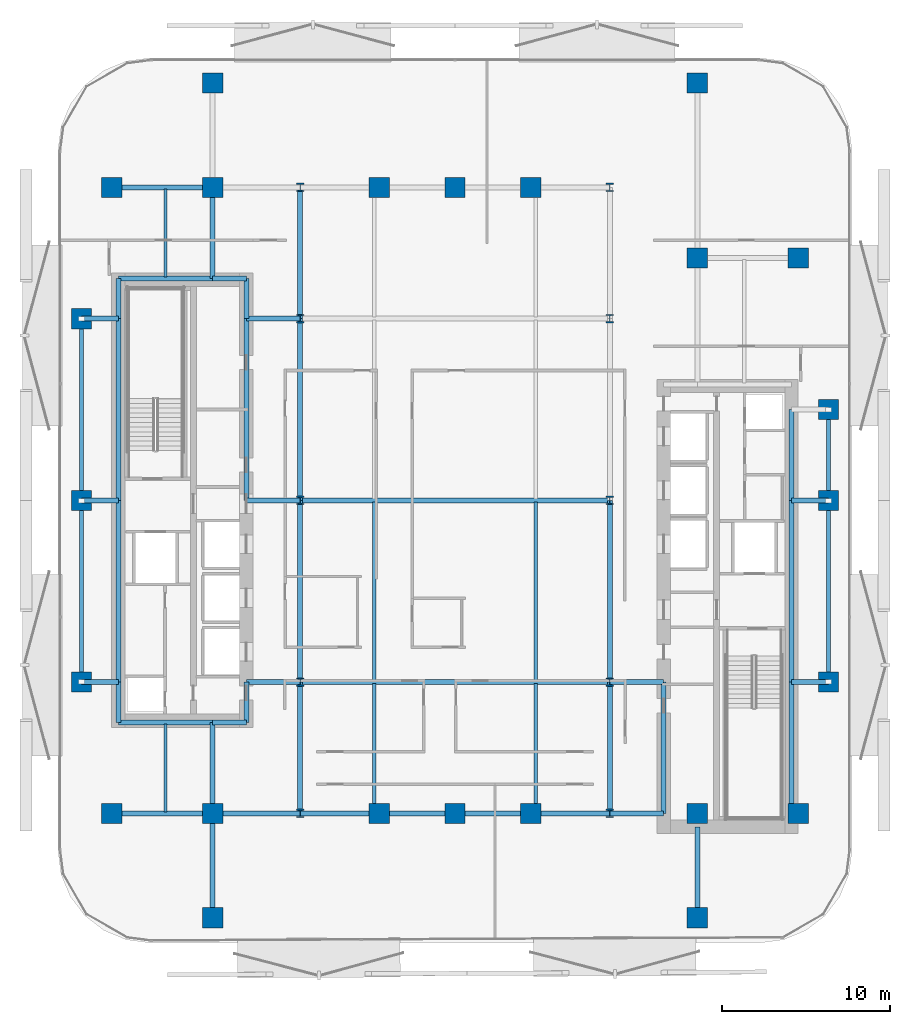
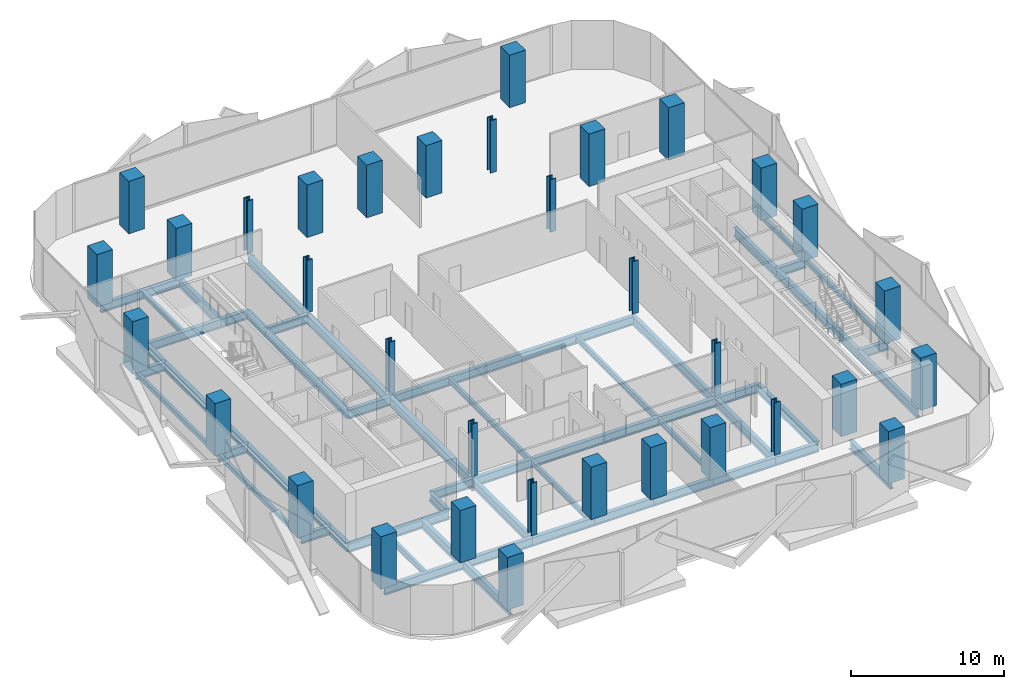
# One storey, part 1 of 15: 54 beams, 34 columns.
"""IFC4 building model written with IfcOpenShell, lengths in metres."""

from ifc_helpers import new_model, si_unit, direction, frame, origin, origin_2d, place, context, subcontext, project, spatial, rectangle, hollow_rectangle, i_section, extrude, material, material_profile, profile_set, type_object, element, save


model = new_model("IFC4")

# Units and contexts
model_context = context("Model", 3, precision=1e-05, world=origin(), true_north=direction((0.0, 1.0)))
body_context = subcontext(model_context, "Body", "Model", "MODEL_VIEW")
ifc_project = project(units=[si_unit("LENGTHUNIT", "METRE"), si_unit("AREAUNIT", "SQUARE_METRE"), si_unit("VOLUMEUNIT", "CUBIC_METRE"), si_unit("PLANEANGLEUNIT", "RADIAN"), si_unit("MASSUNIT", "GRAM", prefix="KILO")], contexts=[model_context])

# Site, building, storey
site_placement = place(None, origin())
site = spatial("IfcSite", under=ifc_project, at=site_placement, CompositionType="ELEMENT")
building_placement = place(site_placement, origin())
building = spatial("IfcBuilding", under=site, at=building_placement, Name="Khairoan Windgate Tower", CompositionType="ELEMENT")
storey_placement = place(building_placement, frame((0.0, 0.0, 105.800048828125)))
storey = spatial("IfcBuildingStorey", under=building, at=storey_placement, Name="L24", CompositionType="ELEMENT", Elevation=105.800048828125)

# Columns
ifc_material_1 = material(Name="Concrete C60/75", Category="concrete")
ifc_material_profile_1 = material_profile(ifc_material_1, rectangle(XDim=1.199951171875, YDim=1.199951171875, at=origin_2d()))
ifc_profile_set_1 = profile_set([ifc_material_profile_1], Name="Concrete C60/75")
column_type_1 = type_object("IfcColumnType", Name="Column C-T3 RC1200x1200", PredefinedType="COLUMN", material=ifc_profile_set_1)
for number, where, z_axis, x_axis, name in (
    (1, (-20.39990234375, -18.60009765625, 0.0), (0.0, 0.0, 1.0), (1.0, 0.0, 0.0), "Column L24-11"),
    (2, (-20.39990234375, 18.60009765625, 0.0), (0.0, 0.0, 1.0), (1.0, 0.0, 0.0), "Column L24-12"),
    (3, (20.39990234375, -18.60009765625, 0.0), (0.0, 0.0, 1.0), (1.0, 0.0, 0.0), "Column L24-13"),
    (4, (20.39990234375, 14.39990234375, 0.0), (0.0, 0.0, 1.0), (1.0, 0.0, 0.0), "Column L24-14"),
    (5, (-14.39990234375, -18.60009765625, 0.0), (0.0, 0.0, 1.0), (1.0, 0.0, 0.0), "Column L24-15"),
    (6, (-14.39990234375, 18.60009765625, 0.0), (0.0, 0.0, 1.0), (1.0, 0.0, 0.0), "Column L24-16"),
    (7, (14.39990234375, -18.60009765625, 0.0), (0.0, 0.0, 1.0), (1.0, 0.0, 0.0), "Column L24-17"),
    (8, (14.39990234375, 14.39990234375, 0.0), (0.0, 0.0, 1.0), (1.0, 0.0, 0.0), "Column L24-18"),
    (9, (-4.5, -18.60009765625, 0.0), (0.0, 0.0, 1.0), (1.0, 0.0, 0.0), "Column L24-19"),
    (10, (0.0, -18.60009765625, 0.0), (0.0, 0.0, 1.0), (1.0, 0.0, 0.0), "Column L24-20"),
    (11, (4.5, -18.60009765625, 0.0), (0.0, 0.0, 1.0), (1.0, 0.0, 0.0), "Column L24-21"),
    (12, (-4.5, 18.60009765625, 0.0), (0.0, 0.0, 1.0), (1.0, 0.0, 0.0), "Column L24-22"),
    (13, (0.0, 18.60009765625, 0.0), (0.0, 0.0, 1.0), (1.0, 0.0, 0.0), "Column L24-23"),
    (14, (4.5, 18.60009765625, 0.0), (0.0, 0.0, 1.0), (1.0, 0.0, 0.0), "Column L24-24"),
    (15, (-22.199951171875, -10.800048828125, 0.0), (0.0, 0.0, 1.0), (1.0, 0.0, 0.0), "Column L24-25"),
    (16, (-22.199951171875, 0.0, 0.0), (0.0, 0.0, 1.0), (1.0, 0.0, 0.0), "Column L24-26"),
    (17, (-22.199951171875, 10.800048828125, 0.0), (0.0, 0.0, 1.0), (1.0, 0.0, 0.0), "Column L24-27"),
    (18, (22.199951171875, -10.800048828125, 0.0), (0.0, 0.0, 1.0), (1.0, 0.0, 0.0), "Column L24-28"),
    (19, (22.199951171875, 0.0, 0.0), (0.0, 0.0, 1.0), (1.0, 0.0, 0.0), "Column L24-29"),
    (20, (22.199951171875, 5.39990234375, 0.0), (0.0, 0.0, 1.0), (1.0, 0.0, 0.0), "Column L24-30"),
    (21, (-14.39990234375, -24.800048828125, 0.0), (0.0, 0.0, 1.0), (1.0, 0.0, 0.0), "Column L24-31"),
    (22, (-14.39990234375, 24.800048828125, 0.0), (0.0, 0.0, 1.0), (1.0, 0.0, 0.0), "Column L24-32"),
    (23, (14.39990234375, -24.800048828125, 0.0), (0.0, 0.0, 1.0), (1.0, 0.0, 0.0), "Column L24-33"),
    (24, (14.39990234375, 24.800048828125, 0.0), (0.0, 0.0, 1.0), (1.0, 0.0, 0.0), "Column L24-34"),
):
    element("IfcColumn", number, at=place(storey_placement, frame(where, z_axis=z_axis, x_axis=x_axis)), inside=storey, type_object=column_type_1, Name=name, PredefinedType="COLUMN", context=body_context, shape_type="SweptSolid", body=[
        extrude(rectangle(XDim=1.199951171875, YDim=1.199951171875, at=origin_2d()), origin(), (0.0, 0.0, 1.0), 4.199951171875),
    ])
ifc_material_2 = material(Name="Steel S355", Category="steel")
ifc_material_profile_2 = material_profile(ifc_material_2, i_section(OverallWidth=0.431884765625, OverallDepth=0.498046875, WebThickness=0.044921875, FlangeThickness=0.070068359375, FilletRadius=0.02197265625, at=origin_2d()))
ifc_profile_set_2 = profile_set([ifc_material_profile_2], Name="Steel S355")
column_type_2 = type_object("IfcColumnType", Name="Steel Column SC1 H498x432x45x70", PredefinedType="COLUMN", material=ifc_profile_set_2)
for number, where, z_axis, x_axis, name in (
    (25, (-9.199951171875, -18.60009765625, 0.0), (0.0, 0.0, 1.0), (1.0, 0.0, 0.0), "Column L24-01"),
    (26, (-9.199951171875, -10.800048828125, 0.0), (0.0, 0.0, 1.0), (1.0, 0.0, 0.0), "Column L24-02"),
    (27, (-9.199951171875, 0.0, 0.0), (0.0, 0.0, 1.0), (1.0, 0.0, 0.0), "Column L24-03"),
    (28, (-9.199951171875, 10.800048828125, 0.0), (0.0, 0.0, 1.0), (1.0, 0.0, 0.0), "Column L24-04"),
    (29, (-9.199951171875, 18.60009765625, 0.0), (0.0, 0.0, 1.0), (1.0, 0.0, 0.0), "Column L24-05"),
    (30, (9.199951171875, -18.60009765625, 0.0), (0.0, 0.0, 1.0), (1.0, 0.0, 0.0), "Column L24-06"),
    (31, (9.199951171875, -10.800048828125, 0.0), (0.0, 0.0, 1.0), (1.0, 0.0, 0.0), "Column L24-07"),
    (32, (9.199951171875, 0.0, 0.0), (0.0, 0.0, 1.0), (1.0, 0.0, 0.0), "Column L24-08"),
    (33, (9.199951171875, 10.800048828125, 0.0), (0.0, 0.0, 1.0), (1.0, 0.0, 0.0), "Column L24-09"),
    (34, (9.199951171875, 18.60009765625, 0.0), (0.0, 0.0, 1.0), (1.0, 0.0, 0.0), "Column L24-10"),
):
    element("IfcColumn", number, at=place(storey_placement, frame(where, z_axis=z_axis, x_axis=x_axis)), inside=storey, type_object=column_type_2, Name=name, PredefinedType="COLUMN", context=body_context, shape_type="SweptSolid", body=[
        extrude(i_section(OverallWidth=0.431884765625, OverallDepth=0.498046875, WebThickness=0.044921875, FlangeThickness=0.070068359375, FilletRadius=0.02197265625, at=origin_2d()), origin(), (0.0, 0.0, 1.0), 4.199951171875),
    ])

# Beams
ifc_material_3 = material(Name="Steel S355", Category="steel")
ifc_material_profile_3 = material_profile(ifc_material_3, i_section(OverallWidth=0.300048828125, OverallDepth=0.699951171875, WebThickness=0.012939453125, FlangeThickness=0.02392578125, FilletRadius=0.02587890625, at=origin_2d()))
ifc_profile_set_3 = profile_set([ifc_material_profile_3], Name="Steel S355")
beam_type_1 = type_object("IfcBeamType", Name="Beam B-G3 H700x300x13x24", PredefinedType="BEAM", material=ifc_profile_set_3)
beam_1_placement = place(storey_placement, frame((-20.39990234375, -18.60009765625, -0.610107421875), z_axis=(1.0, 0.0, 0.0), x_axis=(0.0, 1.0, 0.0)))
element("IfcBeam", 35, at=beam_1_placement, inside=storey, type_object=beam_type_1, Name="L24 E-W Primary Girder 01", PredefinedType="BEAM", context=body_context, shape_type="SweptSolid", body=[
    extrude(i_section(OverallWidth=0.300048828125, OverallDepth=0.699951171875, WebThickness=0.012939453125, FlangeThickness=0.02392578125, FilletRadius=0.02587890625, at=origin_2d()), origin(), (0.0, 0.0, 1.0), 6.0),
])
beam_2_placement = place(storey_placement, frame((-14.39990234375, -18.60009765625, -0.610107421875), z_axis=(1.0, 0.0, 0.0), x_axis=(0.0, 1.0, 0.0)))
element("IfcBeam", 36, at=beam_2_placement, inside=storey, type_object=beam_type_1, Name="L24 E-W Primary Girder 02", PredefinedType="BEAM", context=body_context, shape_type="SweptSolid", body=[
    extrude(i_section(OverallWidth=0.300048828125, OverallDepth=0.699951171875, WebThickness=0.012939453125, FlangeThickness=0.02392578125, FilletRadius=0.02587890625, at=origin_2d()), origin(), (0.0, 0.0, 1.0), 5.199951171875),
])
beam_3_placement = place(storey_placement, frame((-9.199951171875, -18.60009765625, -0.610107421875), z_axis=(1.0, 0.0, 0.0), x_axis=(0.0, 1.0, 0.0)))
element("IfcBeam", 37, at=beam_3_placement, inside=storey, type_object=beam_type_1, Name="L24 E-W Primary Girder 03", PredefinedType="BEAM", context=body_context, shape_type="SweptSolid", body=[
    extrude(i_section(OverallWidth=0.300048828125, OverallDepth=0.699951171875, WebThickness=0.012939453125, FlangeThickness=0.02392578125, FilletRadius=0.02587890625, at=origin_2d()), origin(), (0.0, 0.0, 1.0), 4.699951171875),
])
for number, where, z_axis, x_axis, name in (
    (38, (-4.5, -18.60009765625, -0.610107421875), (1.0, 0.0, 0.0), (0.0, 1.0, 0.0), "L24 E-W Primary Girder 04"),
    (39, (0.0, -18.60009765625, -0.610107421875), (1.0, 0.0, 0.0), (0.0, 1.0, 0.0), "L24 E-W Primary Girder 05"),
):
    element("IfcBeam", number, at=place(storey_placement, frame(where, z_axis=z_axis, x_axis=x_axis)), inside=storey, type_object=beam_type_1, Name=name, PredefinedType="BEAM", context=body_context, shape_type="SweptSolid", body=[
        extrude(i_section(OverallWidth=0.300048828125, OverallDepth=0.699951171875, WebThickness=0.012939453125, FlangeThickness=0.02392578125, FilletRadius=0.02587890625, at=origin_2d()), origin(), (0.0, 0.0, 1.0), 4.5),
    ])
beam_4_placement = place(storey_placement, frame((4.5, -18.60009765625, -0.610107421875), z_axis=(1.0, 0.0, 0.0), x_axis=(0.0, 1.0, 0.0)))
element("IfcBeam", 40, at=beam_4_placement, inside=storey, type_object=beam_type_1, Name="L24 E-W Primary Girder 06", PredefinedType="BEAM", context=body_context, shape_type="SweptSolid", body=[
    extrude(i_section(OverallWidth=0.300048828125, OverallDepth=0.699951171875, WebThickness=0.012939453125, FlangeThickness=0.02392578125, FilletRadius=0.02587890625, at=origin_2d()), origin(), (0.0, 0.0, 1.0), 4.699951171875),
])
beam_5_placement = place(storey_placement, frame((9.199951171875, -18.60009765625, -0.610107421875), z_axis=(1.0, 0.0, 0.0), x_axis=(0.0, 1.0, 0.0)))
element("IfcBeam", 41, at=beam_5_placement, inside=storey, type_object=beam_type_1, Name="L24 E-W Primary Girder 07", PredefinedType="BEAM", context=body_context, shape_type="SweptSolid", body=[
    extrude(i_section(OverallWidth=0.300048828125, OverallDepth=0.699951171875, WebThickness=0.012939453125, FlangeThickness=0.02392578125, FilletRadius=0.02587890625, at=origin_2d()), origin(), (0.0, 0.0, 1.0), 3.199951171875),
])
beam_6_placement = place(storey_placement, frame((-20.0, -13.199951171875, -0.610107421875), z_axis=(1.0, 0.0, 0.0), x_axis=(0.0, 1.0, 0.0)))
element("IfcBeam", 42, at=beam_6_placement, inside=storey, type_object=beam_type_1, Name="L24 E-W Primary Girder 08", PredefinedType="BEAM", context=body_context, shape_type="SweptSolid", body=[
    extrude(i_section(OverallWidth=0.300048828125, OverallDepth=0.699951171875, WebThickness=0.012939453125, FlangeThickness=0.02392578125, FilletRadius=0.02587890625, at=origin_2d()), origin(), (0.0, 0.0, 1.0), 5.60009765625),
])
beam_7_placement = place(storey_placement, frame((-14.39990234375, -13.199951171875, -0.610107421875), z_axis=(1.0, 0.0, 0.0), x_axis=(0.0, 1.0, 0.0)))
element("IfcBeam", 43, at=beam_7_placement, inside=storey, type_object=beam_type_1, Name="L24 E-W Primary Girder 09", PredefinedType="BEAM", context=body_context, shape_type="SweptSolid", body=[
    extrude(i_section(OverallWidth=0.300048828125, OverallDepth=0.699951171875, WebThickness=0.012939453125, FlangeThickness=0.02392578125, FilletRadius=0.02587890625, at=origin_2d()), origin(), (0.0, 0.0, 1.0), 2.0),
])
beam_8_placement = place(storey_placement, frame((-22.199951171875, -10.800048828125, -0.610107421875), z_axis=(1.0, 0.0, 0.0), x_axis=(0.0, 1.0, 0.0)))
element("IfcBeam", 44, at=beam_8_placement, inside=storey, type_object=beam_type_1, Name="L24 E-W Primary Girder 10", PredefinedType="BEAM", context=body_context, shape_type="SweptSolid", body=[
    extrude(i_section(OverallWidth=0.300048828125, OverallDepth=0.699951171875, WebThickness=0.012939453125, FlangeThickness=0.02392578125, FilletRadius=0.02587890625, at=origin_2d()), origin(), (0.0, 0.0, 1.0), 2.199951171875),
])
beam_9_placement = place(storey_placement, frame((-12.39990234375, -10.800048828125, -0.610107421875), z_axis=(1.0, 0.0, 0.0), x_axis=(0.0, 1.0, 0.0)))
element("IfcBeam", 45, at=beam_9_placement, inside=storey, type_object=beam_type_1, Name="L24 E-W Primary Girder 11", PredefinedType="BEAM", context=body_context, shape_type="SweptSolid", body=[
    extrude(i_section(OverallWidth=0.300048828125, OverallDepth=0.699951171875, WebThickness=0.012939453125, FlangeThickness=0.02392578125, FilletRadius=0.02587890625, at=origin_2d()), origin(), (0.0, 0.0, 1.0), 3.199951171875),
])
beam_10_placement = place(storey_placement, frame((-9.199951171875, -10.800048828125, -0.610107421875), z_axis=(1.0, 0.0, 0.0), x_axis=(0.0, 1.0, 0.0)))
element("IfcBeam", 46, at=beam_10_placement, inside=storey, type_object=beam_type_1, Name="L24 E-W Primary Girder 12", PredefinedType="BEAM", context=body_context, shape_type="SweptSolid", body=[
    extrude(i_section(OverallWidth=0.300048828125, OverallDepth=0.699951171875, WebThickness=0.012939453125, FlangeThickness=0.02392578125, FilletRadius=0.02587890625, at=origin_2d()), origin(), (0.0, 0.0, 1.0), 18.39990234375),
])
beam_11_placement = place(storey_placement, frame((9.199951171875, -10.800048828125, -0.610107421875), z_axis=(1.0, 0.0, 0.0), x_axis=(0.0, 1.0, 0.0)))
element("IfcBeam", 47, at=beam_11_placement, inside=storey, type_object=beam_type_1, Name="L24 E-W Primary Girder 13", PredefinedType="BEAM", context=body_context, shape_type="SweptSolid", body=[
    extrude(i_section(OverallWidth=0.300048828125, OverallDepth=0.699951171875, WebThickness=0.012939453125, FlangeThickness=0.02392578125, FilletRadius=0.02587890625, at=origin_2d()), origin(), (0.0, 0.0, 1.0), 3.199951171875),
])
for number, where, z_axis, x_axis, name in (
    (48, (20.0, -10.800048828125, -0.610107421875), (1.0, 0.0, 0.0), (0.0, 1.0, 0.0), "L24 E-W Primary Girder 14"),
    (49, (-22.199951171875, 0.0, -0.610107421875), (1.0, 0.0, 0.0), (0.0, 1.0, 0.0), "L24 E-W Primary Girder 15"),
):
    element("IfcBeam", number, at=place(storey_placement, frame(where, z_axis=z_axis, x_axis=x_axis)), inside=storey, type_object=beam_type_1, Name=name, PredefinedType="BEAM", context=body_context, shape_type="SweptSolid", body=[
        extrude(i_section(OverallWidth=0.300048828125, OverallDepth=0.699951171875, WebThickness=0.012939453125, FlangeThickness=0.02392578125, FilletRadius=0.02587890625, at=origin_2d()), origin(), (0.0, 0.0, 1.0), 2.199951171875),
    ])
beam_12_placement = place(storey_placement, frame((-12.39990234375, 0.0, -0.610107421875), z_axis=(1.0, 0.0, 0.0), x_axis=(0.0, 1.0, 0.0)))
element("IfcBeam", 50, at=beam_12_placement, inside=storey, type_object=beam_type_1, Name="L24 E-W Primary Girder 16", PredefinedType="BEAM", context=body_context, shape_type="SweptSolid", body=[
    extrude(i_section(OverallWidth=0.300048828125, OverallDepth=0.699951171875, WebThickness=0.012939453125, FlangeThickness=0.02392578125, FilletRadius=0.02587890625, at=origin_2d()), origin(), (0.0, 0.0, 1.0), 3.199951171875),
])
beam_13_placement = place(storey_placement, frame((-9.199951171875, 0.0, -0.610107421875), z_axis=(1.0, 0.0, 0.0), x_axis=(0.0, 1.0, 0.0)))
element("IfcBeam", 51, at=beam_13_placement, inside=storey, type_object=beam_type_1, Name="L24 E-W Primary Girder 17", PredefinedType="BEAM", context=body_context, shape_type="SweptSolid", body=[
    extrude(i_section(OverallWidth=0.300048828125, OverallDepth=0.699951171875, WebThickness=0.012939453125, FlangeThickness=0.02392578125, FilletRadius=0.02587890625, at=origin_2d()), origin(), (0.0, 0.0, 1.0), 18.39990234375),
])
for number, where, z_axis, x_axis, name in (
    (52, (20.0, 0.0, -0.610107421875), (1.0, 0.0, 0.0), (0.0, 1.0, 0.0), "L24 E-W Primary Girder 18"),
    (53, (-22.199951171875, 10.800048828125, -0.610107421875), (1.0, 0.0, 0.0), (0.0, 1.0, 0.0), "L24 E-W Primary Girder 22"),
):
    element("IfcBeam", number, at=place(storey_placement, frame(where, z_axis=z_axis, x_axis=x_axis)), inside=storey, type_object=beam_type_1, Name=name, PredefinedType="BEAM", context=body_context, shape_type="SweptSolid", body=[
        extrude(i_section(OverallWidth=0.300048828125, OverallDepth=0.699951171875, WebThickness=0.012939453125, FlangeThickness=0.02392578125, FilletRadius=0.02587890625, at=origin_2d()), origin(), (0.0, 0.0, 1.0), 2.199951171875),
    ])
beam_14_placement = place(storey_placement, frame((-12.39990234375, 10.800048828125, -0.610107421875), z_axis=(1.0, 0.0, 0.0), x_axis=(0.0, 1.0, 0.0)))
element("IfcBeam", 54, at=beam_14_placement, inside=storey, type_object=beam_type_1, Name="L24 E-W Primary Girder 23", PredefinedType="BEAM", context=body_context, shape_type="SweptSolid", body=[
    extrude(i_section(OverallWidth=0.300048828125, OverallDepth=0.699951171875, WebThickness=0.012939453125, FlangeThickness=0.02392578125, FilletRadius=0.02587890625, at=origin_2d()), origin(), (0.0, 0.0, 1.0), 3.199951171875),
])
beam_15_placement = place(storey_placement, frame((-20.0, 13.199951171875, -0.610107421875), z_axis=(1.0, 0.0, 0.0), x_axis=(0.0, 1.0, 0.0)))
element("IfcBeam", 55, at=beam_15_placement, inside=storey, type_object=beam_type_1, Name="L24 E-W Primary Girder 25", PredefinedType="BEAM", context=body_context, shape_type="SweptSolid", body=[
    extrude(i_section(OverallWidth=0.300048828125, OverallDepth=0.699951171875, WebThickness=0.012939453125, FlangeThickness=0.02392578125, FilletRadius=0.02587890625, at=origin_2d()), origin(), (0.0, 0.0, 1.0), 5.60009765625),
])
beam_16_placement = place(storey_placement, frame((-14.39990234375, 13.199951171875, -0.610107421875), z_axis=(1.0, 0.0, 0.0), x_axis=(0.0, 1.0, 0.0)))
element("IfcBeam", 56, at=beam_16_placement, inside=storey, type_object=beam_type_1, Name="L24 E-W Primary Girder 26", PredefinedType="BEAM", context=body_context, shape_type="SweptSolid", body=[
    extrude(i_section(OverallWidth=0.300048828125, OverallDepth=0.699951171875, WebThickness=0.012939453125, FlangeThickness=0.02392578125, FilletRadius=0.02587890625, at=origin_2d()), origin(), (0.0, 0.0, 1.0), 2.0),
])
beam_17_placement = place(storey_placement, frame((-20.39990234375, 18.60009765625, -0.610107421875), z_axis=(1.0, 0.0, 0.0), x_axis=(0.0, 1.0, 0.0)))
element("IfcBeam", 57, at=beam_17_placement, inside=storey, type_object=beam_type_1, Name="L24 E-W Primary Girder 28", PredefinedType="BEAM", context=body_context, shape_type="SweptSolid", body=[
    extrude(i_section(OverallWidth=0.300048828125, OverallDepth=0.699951171875, WebThickness=0.012939453125, FlangeThickness=0.02392578125, FilletRadius=0.02587890625, at=origin_2d()), origin(), (0.0, 0.0, 1.0), 6.0),
])
beam_18_placement = place(storey_placement, frame((-20.0, -13.199951171875, -0.610107421875), z_axis=(0.0, 1.0, 0.0), x_axis=(-1.0, 0.0, 0.0)))
element("IfcBeam", 58, at=beam_18_placement, inside=storey, type_object=beam_type_1, Name="L24 N-S Primary Beam 36", PredefinedType="BEAM", context=body_context, shape_type="SweptSolid", body=[
    extrude(i_section(OverallWidth=0.300048828125, OverallDepth=0.699951171875, WebThickness=0.012939453125, FlangeThickness=0.02392578125, FilletRadius=0.02587890625, at=origin_2d()), origin(), (0.0, 0.0, 1.0), 2.39990234375),
])
for number, where, z_axis, x_axis, name in (
    (59, (-20.0, -10.800048828125, -0.610107421875), (0.0, 1.0, 0.0), (-1.0, 0.0, 0.0), "L24 N-S Primary Beam 37"),
    (60, (-20.0, 0.0, -0.610107421875), (0.0, 1.0, 0.0), (-1.0, 0.0, 0.0), "L24 N-S Primary Beam 38"),
):
    element("IfcBeam", number, at=place(storey_placement, frame(where, z_axis=z_axis, x_axis=x_axis)), inside=storey, type_object=beam_type_1, Name=name, PredefinedType="BEAM", context=body_context, shape_type="SweptSolid", body=[
        extrude(i_section(OverallWidth=0.300048828125, OverallDepth=0.699951171875, WebThickness=0.012939453125, FlangeThickness=0.02392578125, FilletRadius=0.02587890625, at=origin_2d()), origin(), (0.0, 0.0, 1.0), 10.800048828125),
    ])
beam_19_placement = place(storey_placement, frame((-20.0, 10.800048828125, -0.610107421875), z_axis=(0.0, 1.0, 0.0), x_axis=(-1.0, 0.0, 0.0)))
element("IfcBeam", 61, at=beam_19_placement, inside=storey, type_object=beam_type_1, Name="L24 N-S Primary Beam 39", PredefinedType="BEAM", context=body_context, shape_type="SweptSolid", body=[
    extrude(i_section(OverallWidth=0.300048828125, OverallDepth=0.699951171875, WebThickness=0.012939453125, FlangeThickness=0.02392578125, FilletRadius=0.02587890625, at=origin_2d()), origin(), (0.0, 0.0, 1.0), 2.39990234375),
])
beam_20_placement = place(storey_placement, frame((-14.39990234375, -24.800048828125, -0.610107421875), z_axis=(0.0, 1.0, 0.0), x_axis=(-1.0, 0.0, 0.0)))
element("IfcBeam", 62, at=beam_20_placement, inside=storey, type_object=beam_type_1, Name="L24 N-S Primary Beam 40", PredefinedType="BEAM", context=body_context, shape_type="SweptSolid", body=[
    extrude(i_section(OverallWidth=0.300048828125, OverallDepth=0.699951171875, WebThickness=0.012939453125, FlangeThickness=0.02392578125, FilletRadius=0.02587890625, at=origin_2d()), origin(), (0.0, 0.0, 1.0), 6.199951171875),
])
for number, where, z_axis, x_axis, name in (
    (63, (-14.39990234375, -18.60009765625, -0.610107421875), (0.0, 1.0, 0.0), (-1.0, 0.0, 0.0), "L24 N-S Primary Beam 41"),
    (64, (-14.39990234375, 13.199951171875, -0.610107421875), (0.0, 1.0, 0.0), (-1.0, 0.0, 0.0), "L24 N-S Primary Beam 42"),
):
    element("IfcBeam", number, at=place(storey_placement, frame(where, z_axis=z_axis, x_axis=x_axis)), inside=storey, type_object=beam_type_1, Name=name, PredefinedType="BEAM", context=body_context, shape_type="SweptSolid", body=[
        extrude(i_section(OverallWidth=0.300048828125, OverallDepth=0.699951171875, WebThickness=0.012939453125, FlangeThickness=0.02392578125, FilletRadius=0.02587890625, at=origin_2d()), origin(), (0.0, 0.0, 1.0), 5.400146484375),
    ])
beam_21_placement = place(storey_placement, frame((-12.39990234375, -13.199951171875, -0.610107421875), z_axis=(0.0, 1.0, 0.0), x_axis=(-1.0, 0.0, 0.0)))
element("IfcBeam", 65, at=beam_21_placement, inside=storey, type_object=beam_type_1, Name="L24 N-S Primary Beam 44", PredefinedType="BEAM", context=body_context, shape_type="SweptSolid", body=[
    extrude(i_section(OverallWidth=0.300048828125, OverallDepth=0.699951171875, WebThickness=0.012939453125, FlangeThickness=0.02392578125, FilletRadius=0.02587890625, at=origin_2d()), origin(), (0.0, 0.0, 1.0), 2.39990234375),
])
beam_22_placement = place(storey_placement, frame((-12.39990234375, 0.0, -0.610107421875), z_axis=(0.0, 1.0, 0.0), x_axis=(-1.0, 0.0, 0.0)))
element("IfcBeam", 66, at=beam_22_placement, inside=storey, type_object=beam_type_1, Name="L24 N-S Primary Beam 45", PredefinedType="BEAM", context=body_context, shape_type="SweptSolid", body=[
    extrude(i_section(OverallWidth=0.300048828125, OverallDepth=0.699951171875, WebThickness=0.012939453125, FlangeThickness=0.02392578125, FilletRadius=0.02587890625, at=origin_2d()), origin(), (0.0, 0.0, 1.0), 10.800048828125),
])
beam_23_placement = place(storey_placement, frame((-12.39990234375, 10.800048828125, -0.610107421875), z_axis=(0.0, 1.0, 0.0), x_axis=(-1.0, 0.0, 0.0)))
element("IfcBeam", 67, at=beam_23_placement, inside=storey, type_object=beam_type_1, Name="L24 N-S Primary Beam 46", PredefinedType="BEAM", context=body_context, shape_type="SweptSolid", body=[
    extrude(i_section(OverallWidth=0.300048828125, OverallDepth=0.699951171875, WebThickness=0.012939453125, FlangeThickness=0.02392578125, FilletRadius=0.02587890625, at=origin_2d()), origin(), (0.0, 0.0, 1.0), 2.39990234375),
])
beam_24_placement = place(storey_placement, frame((-9.199951171875, -18.60009765625, -0.610107421875), z_axis=(0.0, 1.0, 0.0), x_axis=(-1.0, 0.0, 0.0)))
element("IfcBeam", 68, at=beam_24_placement, inside=storey, type_object=beam_type_1, Name="L24 N-S Primary Beam 47", PredefinedType="BEAM", context=body_context, shape_type="SweptSolid", body=[
    extrude(i_section(OverallWidth=0.300048828125, OverallDepth=0.699951171875, WebThickness=0.012939453125, FlangeThickness=0.02392578125, FilletRadius=0.02587890625, at=origin_2d()), origin(), (0.0, 0.0, 1.0), 7.800048828125),
])
for number, where, z_axis, x_axis, name in (
    (69, (-9.199951171875, -10.800048828125, -0.610107421875), (0.0, 1.0, 0.0), (-1.0, 0.0, 0.0), "L24 N-S Primary Beam 48"),
    (70, (-9.199951171875, 0.0, -0.610107421875), (0.0, 1.0, 0.0), (-1.0, 0.0, 0.0), "L24 N-S Primary Beam 49"),
):
    element("IfcBeam", number, at=place(storey_placement, frame(where, z_axis=z_axis, x_axis=x_axis)), inside=storey, type_object=beam_type_1, Name=name, PredefinedType="BEAM", context=body_context, shape_type="SweptSolid", body=[
        extrude(i_section(OverallWidth=0.300048828125, OverallDepth=0.699951171875, WebThickness=0.012939453125, FlangeThickness=0.02392578125, FilletRadius=0.02587890625, at=origin_2d()), origin(), (0.0, 0.0, 1.0), 10.800048828125),
    ])
for number, where, z_axis, x_axis, name in (
    (71, (-9.199951171875, 10.800048828125, -0.610107421875), (0.0, 1.0, 0.0), (-1.0, 0.0, 0.0), "L24 N-S Primary Beam 50"),
    (72, (9.199951171875, -18.60009765625, -0.610107421875), (0.0, 1.0, 0.0), (-1.0, 0.0, 0.0), "L24 N-S Primary Beam 51"),
):
    element("IfcBeam", number, at=place(storey_placement, frame(where, z_axis=z_axis, x_axis=x_axis)), inside=storey, type_object=beam_type_1, Name=name, PredefinedType="BEAM", context=body_context, shape_type="SweptSolid", body=[
        extrude(i_section(OverallWidth=0.300048828125, OverallDepth=0.699951171875, WebThickness=0.012939453125, FlangeThickness=0.02392578125, FilletRadius=0.02587890625, at=origin_2d()), origin(), (0.0, 0.0, 1.0), 7.800048828125),
    ])
beam_25_placement = place(storey_placement, frame((9.199951171875, -10.800048828125, -0.610107421875), z_axis=(0.0, 1.0, 0.0), x_axis=(-1.0, 0.0, 0.0)))
element("IfcBeam", 73, at=beam_25_placement, inside=storey, type_object=beam_type_1, Name="L24 N-S Primary Beam 52", PredefinedType="BEAM", context=body_context, shape_type="SweptSolid", body=[
    extrude(i_section(OverallWidth=0.300048828125, OverallDepth=0.699951171875, WebThickness=0.012939453125, FlangeThickness=0.02392578125, FilletRadius=0.02587890625, at=origin_2d()), origin(), (0.0, 0.0, 1.0), 10.800048828125),
])
beam_26_placement = place(storey_placement, frame((12.39990234375, -18.60009765625, -0.610107421875), z_axis=(0.0, 1.0, 0.0), x_axis=(-1.0, 0.0, 0.0)))
element("IfcBeam", 74, at=beam_26_placement, inside=storey, type_object=beam_type_1, Name="L24 N-S Primary Beam 55", PredefinedType="BEAM", context=body_context, shape_type="SweptSolid", body=[
    extrude(i_section(OverallWidth=0.300048828125, OverallDepth=0.699951171875, WebThickness=0.012939453125, FlangeThickness=0.02392578125, FilletRadius=0.02587890625, at=origin_2d()), origin(), (0.0, 0.0, 1.0), 7.800048828125),
])
beam_27_placement = place(storey_placement, frame((14.39990234375, -24.800048828125, -0.610107421875), z_axis=(0.0, 1.0, 0.0), x_axis=(-1.0, 0.0, 0.0)))
element("IfcBeam", 75, at=beam_27_placement, inside=storey, type_object=beam_type_1, Name="L24 N-S Primary Beam 56", PredefinedType="BEAM", context=body_context, shape_type="SweptSolid", body=[
    extrude(i_section(OverallWidth=0.300048828125, OverallDepth=0.699951171875, WebThickness=0.012939453125, FlangeThickness=0.02392578125, FilletRadius=0.02587890625, at=origin_2d()), origin(), (0.0, 0.0, 1.0), 5.400146484375),
])
beam_28_placement = place(storey_placement, frame((20.0, -18.60009765625, -0.610107421875), z_axis=(0.0, 1.0, 0.0), x_axis=(-1.0, 0.0, 0.0)))
element("IfcBeam", 76, at=beam_28_placement, inside=storey, type_object=beam_type_1, Name="L24 N-S Primary Beam 59", PredefinedType="BEAM", context=body_context, shape_type="SweptSolid", body=[
    extrude(i_section(OverallWidth=0.300048828125, OverallDepth=0.699951171875, WebThickness=0.012939453125, FlangeThickness=0.02392578125, FilletRadius=0.02587890625, at=origin_2d()), origin(), (0.0, 0.0, 1.0), 7.800048828125),
])
beam_29_placement = place(storey_placement, frame((20.0, -10.800048828125, -0.610107421875), z_axis=(0.0, 1.0, 0.0), x_axis=(-1.0, 0.0, 0.0)))
element("IfcBeam", 77, at=beam_29_placement, inside=storey, type_object=beam_type_1, Name="L24 N-S Primary Beam 60", PredefinedType="BEAM", context=body_context, shape_type="SweptSolid", body=[
    extrude(i_section(OverallWidth=0.300048828125, OverallDepth=0.699951171875, WebThickness=0.012939453125, FlangeThickness=0.02392578125, FilletRadius=0.02587890625, at=origin_2d()), origin(), (0.0, 0.0, 1.0), 10.800048828125),
])
beam_30_placement = place(storey_placement, frame((20.0, 0.0, -0.610107421875), z_axis=(0.0, 1.0, 0.0), x_axis=(-1.0, 0.0, 0.0)))
element("IfcBeam", 78, at=beam_30_placement, inside=storey, type_object=beam_type_1, Name="L24 N-S Primary Beam 61", PredefinedType="BEAM", context=body_context, shape_type="SweptSolid", body=[
    extrude(i_section(OverallWidth=0.300048828125, OverallDepth=0.699951171875, WebThickness=0.012939453125, FlangeThickness=0.02392578125, FilletRadius=0.02587890625, at=origin_2d()), origin(), (0.0, 0.0, 1.0), 5.39990234375),
])
ifc_material_4 = material(Name="Steel S355", Category="steel")
ifc_material_profile_4 = material_profile(ifc_material_4, i_section(OverallWidth=0.199951171875, OverallDepth=0.449951171875, WebThickness=0.009033203125, FlangeThickness=0.013916015625, FilletRadius=0.01806640625, at=origin_2d()))
ifc_profile_set_4 = profile_set([ifc_material_profile_4], Name="Steel S355")
beam_type_2 = type_object("IfcBeamType", Name="Beam J-S3 H450x200x9x14", PredefinedType="JOIST", material=ifc_profile_set_4)
for number, where, z_axis, x_axis, name in (
    (79, (-17.199951171875, -18.510009765625, -0.485107421875), (0.0, 1.0, 0.0), (-1.0, 0.0, 0.0), "L24 Secondary Floor Joist 01"),
    (80, (-17.199951171875, 13.2900390625, -0.485107421875), (0.0, 1.0, 0.0), (-1.0, 0.0, 0.0), "L24 Secondary Floor Joist 02"),
):
    element("IfcBeam", number, at=place(storey_placement, frame(where, z_axis=z_axis, x_axis=x_axis)), inside=storey, type_object=beam_type_2, Name=name, PredefinedType="JOIST", context=body_context, shape_type="SweptSolid", body=[
        extrude(i_section(OverallWidth=0.199951171875, OverallDepth=0.449951171875, WebThickness=0.009033203125, FlangeThickness=0.013916015625, FilletRadius=0.01806640625, at=origin_2d()), origin(), (0.0, 0.0, 1.0), 5.219970703125),
    ])
beam_31_placement = place(storey_placement, frame((-4.800048828125, -18.510009765625, -0.485107421875), z_axis=(0.0, 1.0, 0.0), x_axis=(-1.0, 0.0, 0.0)))
element("IfcBeam", 81, at=beam_31_placement, inside=storey, type_object=beam_type_2, Name="L24 Secondary Floor Joist 03", PredefinedType="JOIST", context=body_context, shape_type="SweptSolid", body=[
    extrude(i_section(OverallWidth=0.199951171875, OverallDepth=0.449951171875, WebThickness=0.009033203125, FlangeThickness=0.013916015625, FilletRadius=0.01806640625, at=origin_2d()), origin(), (0.0, 0.0, 1.0), 7.6201171875),
])
beam_32_placement = place(storey_placement, frame((-4.800048828125, -10.7099609375, -0.485107421875), z_axis=(0.0, 1.0, 0.0), x_axis=(-1.0, 0.0, 0.0)))
element("IfcBeam", 82, at=beam_32_placement, inside=storey, type_object=beam_type_2, Name="L24 Secondary Floor Joist 04", PredefinedType="JOIST", context=body_context, shape_type="SweptSolid", body=[
    extrude(i_section(OverallWidth=0.199951171875, OverallDepth=0.449951171875, WebThickness=0.009033203125, FlangeThickness=0.013916015625, FilletRadius=0.01806640625, at=origin_2d()), origin(), (0.0, 0.0, 1.0), 10.619873046875),
])
beam_33_placement = place(storey_placement, frame((4.800048828125, -18.510009765625, -0.485107421875), z_axis=(0.0, 1.0, 0.0), x_axis=(-1.0, 0.0, 0.0)))
element("IfcBeam", 83, at=beam_33_placement, inside=storey, type_object=beam_type_2, Name="L24 Secondary Floor Joist 07", PredefinedType="JOIST", context=body_context, shape_type="SweptSolid", body=[
    extrude(i_section(OverallWidth=0.199951171875, OverallDepth=0.449951171875, WebThickness=0.009033203125, FlangeThickness=0.013916015625, FilletRadius=0.01806640625, at=origin_2d()), origin(), (0.0, 0.0, 1.0), 7.6201171875),
])
beam_34_placement = place(storey_placement, frame((4.800048828125, -10.7099609375, -0.485107421875), z_axis=(0.0, 1.0, 0.0), x_axis=(-1.0, 0.0, 0.0)))
element("IfcBeam", 84, at=beam_34_placement, inside=storey, type_object=beam_type_2, Name="L24 Secondary Floor Joist 08", PredefinedType="JOIST", context=body_context, shape_type="SweptSolid", body=[
    extrude(i_section(OverallWidth=0.199951171875, OverallDepth=0.449951171875, WebThickness=0.009033203125, FlangeThickness=0.013916015625, FilletRadius=0.01806640625, at=origin_2d()), origin(), (0.0, 0.0, 1.0), 10.619873046875),
])
ifc_material_5 = material(Name="Steel S355", Category="steel")
ifc_material_profile_5 = material_profile(ifc_material_5, hollow_rectangle(XDim=0.25, YDim=0.35009765625, WallThickness=0.012451171875, InnerFilletRadius=0.012451171875, OuterFilletRadius=0.02490234375, at=origin_2d()))
ifc_profile_set_5 = profile_set([ifc_material_profile_5], Name="Steel S355")
beam_type_3 = type_object("IfcBeamType", Name="Beam SP-B2 RHS350x250x12.5", PredefinedType="SPANDREL", material=ifc_profile_set_5)
for number, where, z_axis, x_axis, name in (
    (85, (-22.199951171875, -10.800048828125, -0.43505859375), (0.0, 1.0, 0.0), (-1.0, 0.0, 0.0), "L24 Spandrel Beam 34"),
    (86, (-22.199951171875, 0.0, -0.43505859375), (0.0, 1.0, 0.0), (-1.0, 0.0, 0.0), "L24 Spandrel Beam 35"),
    (87, (22.199951171875, -10.800048828125, -0.43505859375), (0.0, 1.0, 0.0), (-1.0, 0.0, 0.0), "L24 Spandrel Beam 62"),
):
    element("IfcBeam", number, at=place(storey_placement, frame(where, z_axis=z_axis, x_axis=x_axis)), inside=storey, type_object=beam_type_3, Name=name, PredefinedType="SPANDREL", context=body_context, shape_type="SweptSolid", body=[
        extrude(hollow_rectangle(XDim=0.25, YDim=0.35009765625, WallThickness=0.012451171875, InnerFilletRadius=0.012451171875, OuterFilletRadius=0.02490234375, at=origin_2d()), origin(), (0.0, 0.0, 1.0), 10.800048828125),
    ])
beam_35_placement = place(storey_placement, frame((22.199951171875, 0.0, -0.43505859375), z_axis=(0.0, 1.0, 0.0), x_axis=(-1.0, 0.0, 0.0)))
element("IfcBeam", 88, at=beam_35_placement, inside=storey, type_object=beam_type_3, Name="L24 Spandrel Beam 63", PredefinedType="SPANDREL", context=body_context, shape_type="SweptSolid", body=[
    extrude(hollow_rectangle(XDim=0.25, YDim=0.35009765625, WallThickness=0.012451171875, InnerFilletRadius=0.012451171875, OuterFilletRadius=0.02490234375, at=origin_2d()), origin(), (0.0, 0.0, 1.0), 5.39990234375),
])

save(model, "model.ifc")
